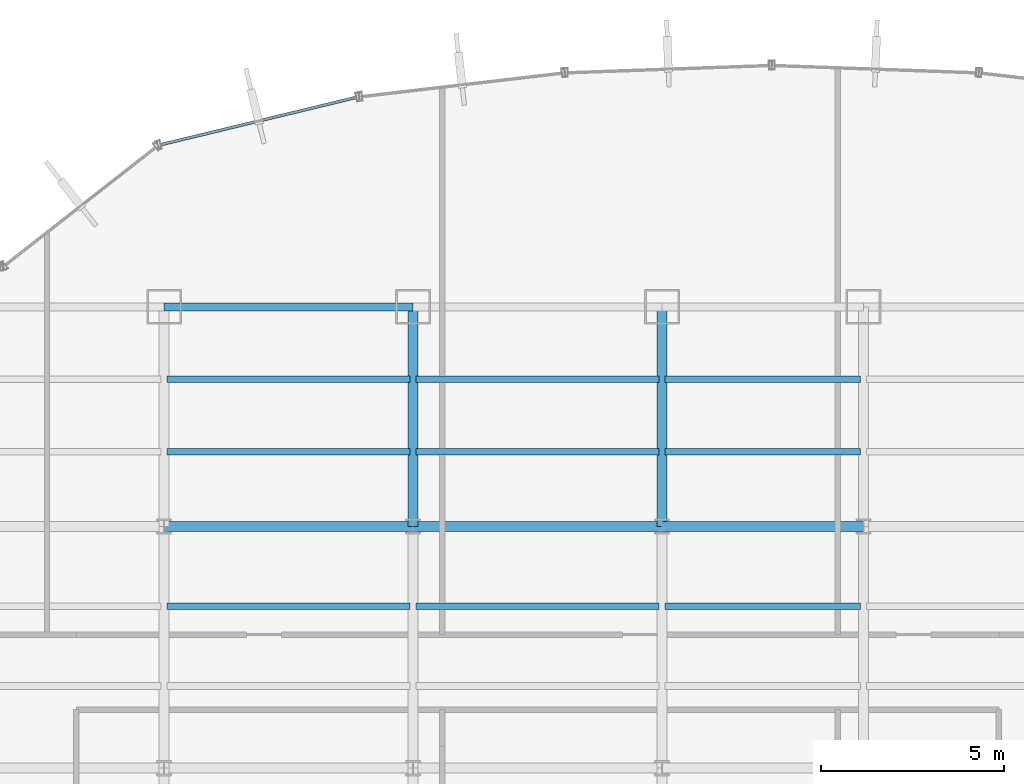
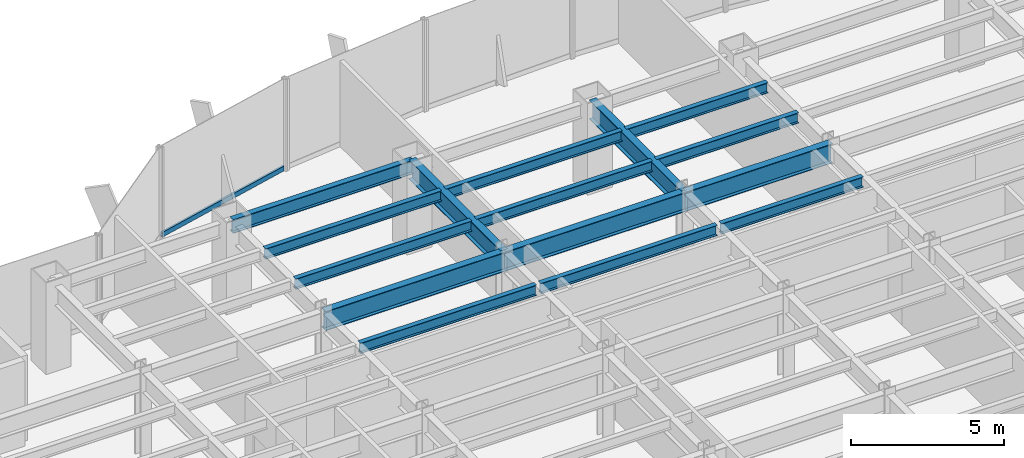
# One storey, part 11 of 22: 15 beams, 1 member, 1 element without a shape of its own.
"""IFC4 building model written with IfcOpenShell, lengths in metres."""

from ifc_helpers import new_model, si_unit, derived_unit, direction, frame, origin, origin_2d, place, context, subcontext, project, spatial, hollow_rectangle, i_section, extrude, source, transform, mapped, material, material_profile, profile_set, type_object, element, aggregate, save


model = new_model("IFC4")

# Units and contexts
model_context = context("Model", 3, precision=1e-05, world=origin(), true_north=direction((0.0, 1.0)))
body_context = subcontext(model_context, "Body", "Model", "MODEL_VIEW")
ifc_project = project(units=[si_unit("LENGTHUNIT", "METRE"), si_unit("AREAUNIT", "SQUARE_METRE"), si_unit("VOLUMEUNIT", "CUBIC_METRE"), si_unit("PLANEANGLEUNIT", "RADIAN"), si_unit("MASSUNIT", "GRAM", prefix="KILO"), derived_unit("THERMALTRANSMITTANCEUNIT", [(si_unit("POWERUNIT", "WATT"), 1), (si_unit("LENGTHUNIT", "METRE"), -2), (si_unit("THERMODYNAMICTEMPERATUREUNIT", "KELVIN"), -1)])], contexts=[model_context])

# Site, building, storey
site_placement = place(None, origin())
site = spatial("IfcSite", under=ifc_project, at=site_placement, CompositionType="ELEMENT")
building_placement = place(site_placement, origin())
building = spatial("IfcBuilding", under=site, at=building_placement, Name="Skarnbrae Concourse Arena and Tower", CompositionType="ELEMENT")
storey_placement = place(building_placement, frame((0.0, 0.0, 72.64990234375)))
storey = spatial("IfcBuildingStorey", under=building, at=storey_placement, Name="L17", CompositionType="ELEMENT", Elevation=72.64990234375)

# Beams
ifc_material_1 = material(Name="Steel CSA G40.21 350W", Category="steel")
ifc_material_profile_1 = material_profile(ifc_material_1, i_section(OverallWidth=0.26806640625, OverallDepth=0.77001953125, WebThickness=0.015625, FlangeThickness=0.025390625, at=origin_2d()), Name="W760X196")
ifc_profile_set_1 = profile_set([ifc_material_profile_1], Name="Steel CSA G40.21 350W")
beam_type_1 = type_object("IfcBeamType", Name="BM-GIRD-W760X196", PredefinedType="BEAM", material=ifc_profile_set_1)
shared_shape_1 = source(origin(), body_context, "Body", "SweptSolid", [
    extrude(i_section(OverallWidth=0.26806640625, OverallDepth=0.77001953125, WebThickness=0.015625, FlangeThickness=0.025390625, at=origin_2d()), origin(), (0.0, 0.0, 1.0), 6.800048828125),
])
for number, where, z_axis, x_axis, name in (
    (1, (14.39990234375, 34.39990234375, 3.01513671875), (1.0, 0.0, 0.0), (0.0, 1.0, 0.0), "L17 Primary E-W girder Y34.4-3"),
    (2, (21.199951171875, 34.39990234375, 3.01513671875), (1.0, 0.0, 0.0), (0.0, 1.0, 0.0), "L17 Primary E-W girder Y34.4-4"),
):
    element("IfcBeam", number, at=place(storey_placement, frame(where, z_axis=z_axis, x_axis=x_axis)), inside=storey, type_object=beam_type_1, Name=name, PredefinedType="BEAM", context=body_context, shape_type="MappedRepresentation", body=[
        mapped(shared_shape_1, transform((0.0, 0.0, 0.0))),
    ])
shared_shape_2 = source(origin(), body_context, "Body", "SweptSolid", [
    extrude(i_section(OverallWidth=0.26806640625, OverallDepth=0.77001953125, WebThickness=0.015625, FlangeThickness=0.025390625, at=origin_2d()), origin(), (0.0, 0.0, 1.0), 5.5),
])
beam_1_placement = place(storey_placement, frame((28.0, 34.39990234375, 3.01513671875), z_axis=(1.0, 0.0, 0.0), x_axis=(0.0, 1.0, 0.0)))
element("IfcBeam", 3, at=beam_1_placement, inside=storey, type_object=beam_type_1, Name="L17 Primary E-W girder Y34.4-5", PredefinedType="BEAM", context=body_context, shape_type="MappedRepresentation", body=[
    mapped(shared_shape_2, transform((0.0, 0.0, 0.0))),
])
shared_shape_3 = source(origin(), body_context, "Body", "SweptSolid", [
    extrude(i_section(OverallWidth=0.26806640625, OverallDepth=0.77001953125, WebThickness=0.015625, FlangeThickness=0.025390625, at=origin_2d()), origin(), (0.0, 0.0, 1.0), 6.0),
])
for number, where, z_axis, x_axis, name in (
    (4, (21.199951171875, 34.39990234375, 3.01513671875), (0.0, 1.0, 0.0), (-1.0, 0.0, 0.0), "L17 Primary N-S girder X21.2-4"),
    (5, (28.0, 34.39990234375, 3.01513671875), (0.0, 1.0, 0.0), (-1.0, 0.0, 0.0), "L17 Primary N-S girder X28.0-4"),
):
    element("IfcBeam", number, at=place(storey_placement, frame(where, z_axis=z_axis, x_axis=x_axis)), inside=storey, type_object=beam_type_1, Name=name, PredefinedType="BEAM", context=body_context, shape_type="MappedRepresentation", body=[
        mapped(shared_shape_3, transform((0.0, 0.0, 0.0))),
    ])
ifc_material_profile_2 = material_profile(ifc_material_1, i_section(OverallWidth=0.214111328125, OverallDepth=0.549072265625, WebThickness=0.0146484375, FlangeThickness=0.023681640625, at=origin_2d()), Name="W530X138")
ifc_profile_set_2 = profile_set([ifc_material_profile_2], Name="Steel CSA G40.21 350W")
beam_type_2 = type_object("IfcBeamType", Name="BM-SPAN-W530X138", PredefinedType="SPANDREL", material=ifc_profile_set_2)
shared_shape_4 = source(origin(), body_context, "Body", "SweptSolid", [
    extrude(i_section(OverallWidth=0.214111328125, OverallDepth=0.549072265625, WebThickness=0.0146484375, FlangeThickness=0.023681640625, at=origin_2d()), origin(), (0.0, 0.0, 1.0), 6.800048828125),
])
beam_2_placement = place(storey_placement, frame((14.39990234375, 40.39990234375, 3.12548828125), z_axis=(1.0, 0.0, 0.0), x_axis=(0.0, 1.0, 0.0)))
element("IfcBeam", 6, at=beam_2_placement, inside=storey, type_object=beam_type_2, Name="L17 Perimeter spandrel Y40.4-2", PredefinedType="SPANDREL", context=body_context, shape_type="MappedRepresentation", body=[
    mapped(shared_shape_4, transform((0.0, 0.0, 0.0))),
])
ifc_material_profile_3 = material_profile(ifc_material_1, i_section(OverallWidth=0.180908203125, OverallDepth=0.4169921875, WebThickness=0.010986328125, FlangeThickness=0.018310546875, at=origin_2d()), Name="W410X85")
ifc_profile_set_3 = profile_set([ifc_material_profile_3], Name="Steel CSA G40.21 350W")
beam_type_3 = type_object("IfcBeamType", Name="BM-JOIST-W410X85", PredefinedType="JOIST", material=ifc_profile_set_3)
shared_shape_5 = source(origin(), body_context, "Body", "SweptSolid", [
    extrude(i_section(OverallWidth=0.180908203125, OverallDepth=0.4169921875, WebThickness=0.010986328125, FlangeThickness=0.018310546875, at=origin_2d()), origin(), (0.0, 0.0, 1.0), 6.64013671875),
])
for number, where, z_axis, x_axis, name in (
    (7, (14.47998046875, 32.221923828125, 3.191650390625), (1.0, 0.0, 0.0), (0.0, 1.0, 0.0), "L17 Secondary floor joist 3.2.3"),
    (8, (14.47998046875, 36.43994140625, 3.191650390625), (1.0, 0.0, 0.0), (0.0, 1.0, 0.0), "L17 Secondary floor joist 4.1.2"),
    (9, (14.47998046875, 38.419921875, 3.191650390625), (1.0, 0.0, 0.0), (0.0, 1.0, 0.0), "L17 Secondary floor joist 4.2.2"),
):
    element("IfcBeam", number, at=place(storey_placement, frame(where, z_axis=z_axis, x_axis=x_axis)), inside=storey, type_object=beam_type_3, Name=name, PredefinedType="JOIST", context=body_context, shape_type="MappedRepresentation", body=[
        mapped(shared_shape_5, transform((0.0, 0.0, 0.0))),
    ])
shared_shape_6 = source(origin(), body_context, "Body", "SweptSolid", [
    extrude(i_section(OverallWidth=0.180908203125, OverallDepth=0.4169921875, WebThickness=0.010986328125, FlangeThickness=0.018310546875, at=origin_2d()), origin(), (0.0, 0.0, 1.0), 6.639892578125),
])
for number, where, z_axis, x_axis, name in (
    (10, (21.280029296875, 32.221923828125, 3.191650390625), (1.0, 0.0, 0.0), (0.0, 1.0, 0.0), "L17 Secondary floor joist 3.2.4"),
    (11, (21.280029296875, 36.43994140625, 3.191650390625), (1.0, 0.0, 0.0), (0.0, 1.0, 0.0), "L17 Secondary floor joist 4.1.3"),
    (12, (21.280029296875, 38.419921875, 3.191650390625), (1.0, 0.0, 0.0), (0.0, 1.0, 0.0), "L17 Secondary floor joist 4.2.3"),
):
    element("IfcBeam", number, at=place(storey_placement, frame(where, z_axis=z_axis, x_axis=x_axis)), inside=storey, type_object=beam_type_3, Name=name, PredefinedType="JOIST", context=body_context, shape_type="MappedRepresentation", body=[
        mapped(shared_shape_6, transform((0.0, 0.0, 0.0))),
    ])
shared_shape_7 = source(origin(), body_context, "Body", "SweptSolid", [
    extrude(i_section(OverallWidth=0.180908203125, OverallDepth=0.4169921875, WebThickness=0.010986328125, FlangeThickness=0.018310546875, at=origin_2d()), origin(), (0.0, 0.0, 1.0), 5.33984375),
])
for number, where, z_axis, x_axis, name in (
    (13, (28.080078125, 32.221923828125, 3.191650390625), (1.0, 0.0, 0.0), (0.0, 1.0, 0.0), "L17 Secondary floor joist 3.2.5"),
    (14, (28.080078125, 36.43994140625, 3.191650390625), (1.0, 0.0, 0.0), (0.0, 1.0, 0.0), "L17 Secondary floor joist 4.1.4"),
    (15, (28.080078125, 38.419921875, 3.191650390625), (1.0, 0.0, 0.0), (0.0, 1.0, 0.0), "L17 Secondary floor joist 4.2.4"),
):
    element("IfcBeam", number, at=place(storey_placement, frame(where, z_axis=z_axis, x_axis=x_axis)), inside=storey, type_object=beam_type_3, Name=name, PredefinedType="JOIST", context=body_context, shape_type="MappedRepresentation", body=[
        mapped(shared_shape_7, transform((0.0, 0.0, 0.0))),
    ])

# Curtain wall, member
ifc_material_2 = material(Name="Bronze anodised aluminium 6063-T6", Category="aluminium")
curtain_wall_type = type_object("IfcCurtainWallType", Name="CW-SYS-02-LOWZONE", PredefinedType="USERDEFINED", material=ifc_material_2)
curtain_wall_placement = place(storey_placement, origin())
curtain_wall = element("IfcCurtainWall", 16, at=curtain_wall_placement, inside=storey, type_object=curtain_wall_type, Name="L17 Unitised curtain wall CW-L17-E14", ObjectType="UNITISED CURTAIN WALL", PredefinedType="USERDEFINED")
ifc_material_profile_4 = material_profile(ifc_material_2, hollow_rectangle(XDim=0.080078125, YDim=0.18994140625, WallThickness=0.0048828125, at=origin_2d()), Name="ALU-TRAN-80X190")
ifc_profile_set_4 = profile_set([ifc_material_profile_4], Name="Bronze anodised aluminium 6063-T6")
member_type = type_object("IfcMemberType", Name="CWT-CW-02", PredefinedType="USERDEFINED", material=ifc_profile_set_4)
shared_shape_8 = source(origin(), body_context, "Body", "SweptSolid", [
    extrude(hollow_rectangle(XDim=0.080078125, YDim=0.18994140625, WallThickness=0.0048828125, at=origin_2d()), origin(), (0.0, 0.0, 1.0), 5.4921875),
])
member_placement = place(storey_placement, frame((19.64990234375, 46.12158203125, 0.09521484375), z_axis=(-0.971980728004, -0.235060554728, 0.0), x_axis=(0.235060554728, -0.971980728004, 0.0)))
member = element("IfcMember", 17, at=member_placement, type_object=member_type, Name="CW-L17-E14 Transom 1", ObjectType="TRANSOM", PredefinedType="USERDEFINED", context=body_context, shape_type="MappedRepresentation", body=[
    mapped(shared_shape_8, transform((0.0, 0.0, 0.0))),
])
aggregate(curtain_wall, [member])

save(model, "model.ifc")
